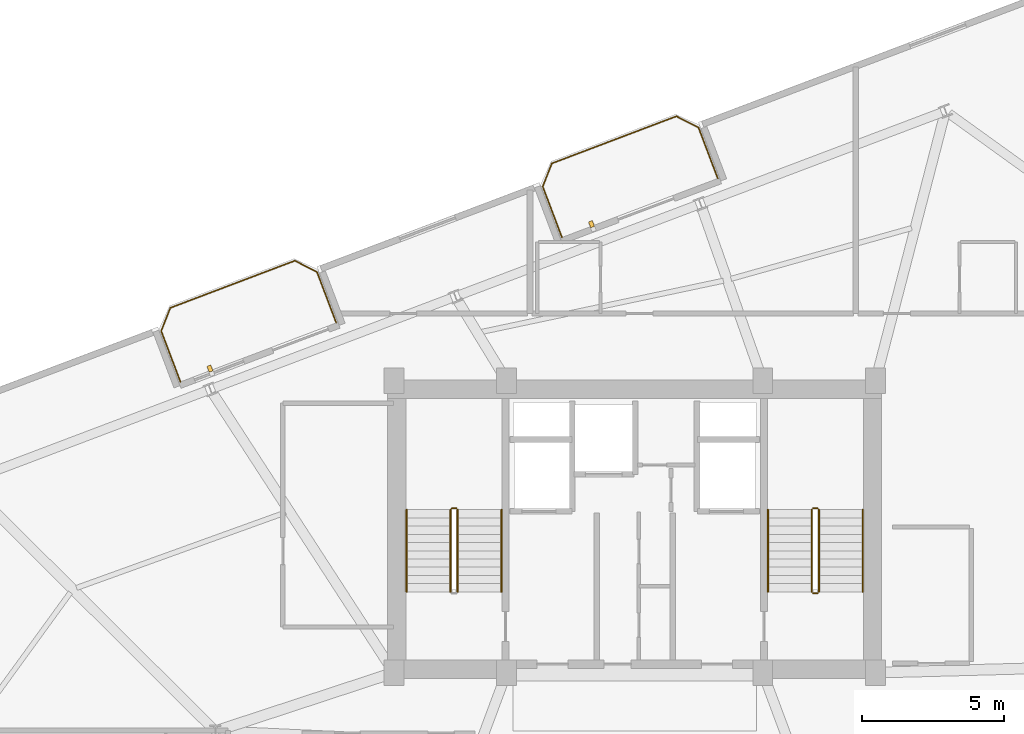
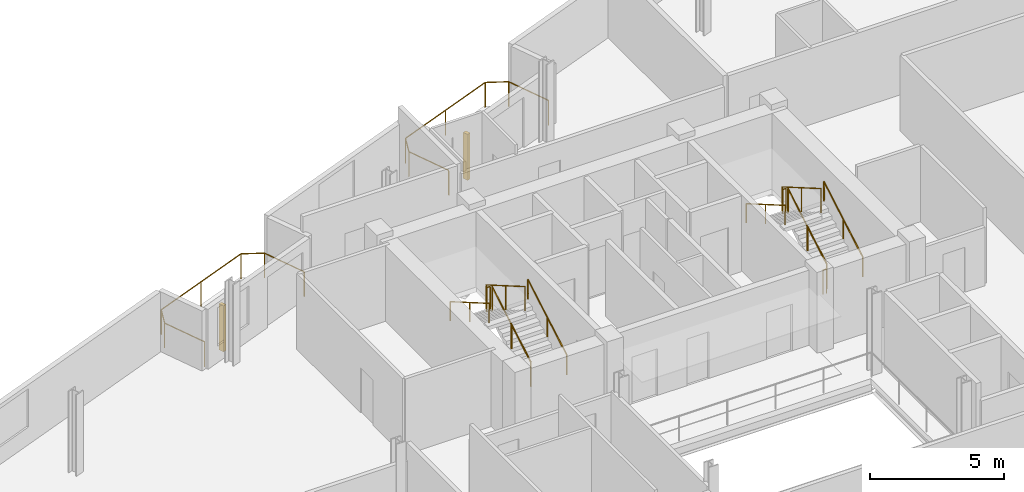
# One storey, part 24 of 24: 13 railings, 2 shading devices.
"""IFC4 building model written with IfcOpenShell, lengths in metres."""

from ifc_helpers import new_model, si_unit, direction, frame, origin, origin_2d, place, context, subcontext, project, spatial, rectangle, circle, extrude, source, transform, mapped, material, type_object, element, save


model = new_model("IFC4")

# Units and contexts
model_context = context("Model", 3, precision=1e-05, world=origin(), true_north=direction((0.0, 1.0)))
body_context = subcontext(model_context, "Body", "Model", "MODEL_VIEW")
ifc_project = project(units=[si_unit("LENGTHUNIT", "METRE"), si_unit("AREAUNIT", "SQUARE_METRE"), si_unit("VOLUMEUNIT", "CUBIC_METRE"), si_unit("PLANEANGLEUNIT", "RADIAN"), si_unit("MASSUNIT", "GRAM", prefix="KILO")], contexts=[model_context])

# Site, building, storey
site_placement = place(None, origin())
site = spatial("IfcSite", under=ifc_project, at=site_placement, CompositionType="ELEMENT")
building_placement = place(site_placement, origin())
building = spatial("IfcBuilding", under=site, at=building_placement, Name="Varnelok Gate Tower", CompositionType="ELEMENT")
storey_placement = place(building_placement, frame((0.0, 0.0, 212.699951171875)))
storey = spatial("IfcBuildingStorey", under=building, at=storey_placement, Name="L54", CompositionType="ELEMENT", Elevation=212.699951171875)

# Railings
ifc_material_1 = material(Name="Low-E Laminated Double Glazing IGU", Category="glass")
railing_type_1 = type_object("IfcRailingType", Name="RL-BALC-1150", PredefinedType="BALUSTRADE", material=ifc_material_1)
railing_1_placement = place(storey_placement, frame((23.166748046875, 39.011474609375, 0.0)))
element("IfcRailing", 1, at=railing_1_placement, inside=storey, type_object=railing_type_1, Name="L54 North Terrace Balustrade 3", PredefinedType="BALUSTRADE", context=body_context, shape_type="SweptSolid", body=[
    extrude(circle(Radius=0.02392578125, at=origin_2d()), frame((0.0, 0.0, 1.1259765625), z_axis=(-0.354159661475, 0.935184973245, 0.0), x_axis=(-0.935184973245, -0.354159661475, 0.0)), (0.0, 0.0, 1.0), 1.919921875),
    extrude(circle(Radius=0.02392578125, at=origin_2d()), frame((-0.679931640625, 1.79541015625, 1.1259765625), z_axis=(0.366495340819, 0.93041988648, 0.0), x_axis=(-0.93041988648, 0.366495340819, 0.0)), (0.0, 0.0, 1.0), 0.8779296875),
    extrude(circle(Radius=0.02392578125, at=origin_2d()), frame((-0.358154296875, 2.6123046875, 1.1259765625), z_axis=(0.935223045203, 0.354059113314, 0.0), x_axis=(-0.354059113314, 0.935223045203, 0.0)), (0.0, 0.0, 1.0), 4.699951171875),
    extrude(circle(Radius=0.02392578125, at=origin_2d()), frame((4.037353515625, 4.2763671875, 1.1259765625), z_axis=(0.89078254773, -0.454429810487, 0.0), x_axis=(0.454429810487, 0.89078254773, 0.0)), (0.0, 0.0, 1.0), 0.8779296875),
    extrude(circle(Radius=0.02392578125, at=origin_2d()), frame((4.8193359375, 3.87744140625, 1.1259765625), z_axis=(0.354006333352, -0.935243025073, 0.0), x_axis=(0.935243025073, 0.354006333352, 0.0)), (0.0, 0.0, 1.0), 1.919921875),
    extrude(circle(Radius=0.02099609375, at=origin_2d()), origin(), (0.0, 0.0, 1.0), 1.101806640625),
    extrude(circle(Radius=0.02099609375, at=origin_2d()), frame((-0.679931640625, 1.79541015625, 0.0)), (0.0, 0.0, 1.0), 1.101806640625),
    extrude(circle(Radius=0.02099609375, at=origin_2d()), frame((-0.358154296875, 2.6123046875, 0.0)), (0.0, 0.0, 1.0), 1.101806640625),
    extrude(circle(Radius=0.02099609375, at=origin_2d()), frame((1.839599609375, 3.4443359375, 0.0)), (0.0, 0.0, 1.0), 1.101806640625),
    extrude(circle(Radius=0.02099609375, at=origin_2d()), frame((4.037353515625, 4.2763671875, 0.0)), (0.0, 0.0, 1.0), 1.101806640625),
    extrude(circle(Radius=0.02099609375, at=origin_2d()), frame((4.8193359375, 3.87744140625, 0.0)), (0.0, 0.0, 1.0), 1.101806640625),
    extrude(circle(Radius=0.02099609375, at=origin_2d()), frame((5.4990234375, 2.081787109375, 0.0)), (0.0, 0.0, 1.0), 1.101806640625),
])
railing_2_placement = place(storey_placement, frame((36.6337890625, 44.10986328125, 0.0)))
element("IfcRailing", 2, at=railing_2_placement, inside=storey, type_object=railing_type_1, Name="L54 North Terrace Balustrade 4", PredefinedType="BALUSTRADE", context=body_context, shape_type="SweptSolid", body=[
    extrude(circle(Radius=0.02392578125, at=origin_2d()), frame((0.0, 0.0, 1.1259765625), z_axis=(-0.354006333352, 0.935243025073, 0.0), x_axis=(-0.935243025073, -0.354006333352, 0.0)), (0.0, 0.0, 1.0), 1.919921875),
    extrude(circle(Radius=0.02392578125, at=origin_2d()), frame((-0.6796875, 1.795654296875, 1.1259765625), z_axis=(0.366254584666, 0.930514685113, 0.0), x_axis=(-0.930514685113, 0.366254584666, 0.0)), (0.0, 0.0, 1.0), 0.8779296875),
    extrude(circle(Radius=0.02392578125, at=origin_2d()), frame((-0.358154296875, 2.612548828125, 1.1259765625), z_axis=(0.935229556479, 0.354041913744, 0.0), x_axis=(-0.354041913744, 0.935229556479, 0.0)), (0.0, 0.0, 1.0), 4.7001953125),
    extrude(circle(Radius=0.02392578125, at=origin_2d()), frame((4.03759765625, 4.276611328125, 1.1259765625), z_axis=(0.890612455555, -0.454763074589, 0.0), x_axis=(0.454763074589, 0.890612455555, 0.0)), (0.0, 0.0, 1.0), 0.877685546875),
    extrude(circle(Radius=0.02392578125, at=origin_2d()), frame((4.8193359375, 3.87744140625, 1.1259765625), z_axis=(0.354159661475, -0.935184973245, 0.0), x_axis=(0.935184973245, 0.354159661475, 0.0)), (0.0, 0.0, 1.0), 1.919921875),
    extrude(circle(Radius=0.02099609375, at=origin_2d()), origin(), (0.0, 0.0, 1.0), 1.101806640625),
    extrude(circle(Radius=0.02099609375, at=origin_2d()), frame((-0.6796875, 1.795654296875, 0.0)), (0.0, 0.0, 1.0), 1.101806640625),
    extrude(circle(Radius=0.02099609375, at=origin_2d()), frame((-0.358154296875, 2.612548828125, 0.0)), (0.0, 0.0, 1.0), 1.101806640625),
    extrude(circle(Radius=0.02099609375, at=origin_2d()), frame((1.83984375, 3.444580078125, 0.0)), (0.0, 0.0, 1.0), 1.101806640625),
    extrude(circle(Radius=0.02099609375, at=origin_2d()), frame((4.03759765625, 4.276611328125, 0.0)), (0.0, 0.0, 1.0), 1.101806640625),
    extrude(circle(Radius=0.02099609375, at=origin_2d()), frame((4.8193359375, 3.87744140625, 0.0)), (0.0, 0.0, 1.0), 1.101806640625),
    extrude(circle(Radius=0.02099609375, at=origin_2d()), frame((5.499267578125, 2.08203125, 0.0)), (0.0, 0.0, 1.0), 1.101806640625),
])
ifc_material_2 = material(Name="Brushed Stainless Steel AISI 316", Category="steel")
railing_type_2 = type_object("IfcRailingType", Name="RL-HANDRAIL-900", PredefinedType="HANDRAIL", material=ifc_material_2)
railing_3_placement = place(storey_placement, frame((34.5, 31.60009765625, 0.168212890625)))
element("IfcRailing", 3, at=railing_3_placement, inside=storey, type_object=railing_type_2, Name="L54 ST-1 stair handrail 1", PredefinedType="HANDRAIL", context=body_context, shape_type="SweptSolid", body=[
    extrude(circle(Radius=0.02392578125, at=origin_2d()), frame((0.0, 0.0, 0.8759765625), z_axis=(0.0, 0.865038774852, 0.501705010941), x_axis=(-1.0, 0.0, 0.0)), (0.0, 0.0, 1.0), 3.352294921875),
    extrude(circle(Radius=0.02099609375, at=origin_2d()), origin(), (0.0, 0.0, 1.0), 0.851806640625),
    extrude(circle(Radius=0.02099609375, at=origin_2d()), frame((0.0, 1.449951171875, 0.8408203125)), (0.0, 0.0, 1.0), 0.851806640625),
    extrude(circle(Radius=0.02099609375, at=origin_2d()), frame((0.0, 2.89990234375, 1.681884765625)), (0.0, 0.0, 1.0), 0.851806640625),
])
railing_4_placement = place(storey_placement, frame((31.14990234375, 34.5, 2.018310546875)))
element("IfcRailing", 4, at=railing_4_placement, inside=storey, type_object=railing_type_2, Name="L54 ST-1 stair handrail 2", PredefinedType="HANDRAIL", context=body_context, shape_type="SweptSolid", body=[
    extrude(circle(Radius=0.02392578125, at=origin_2d()), frame((0.0, 0.0, 0.8759765625), z_axis=(0.0, -0.86507038078, 0.501650512107), x_axis=(1.0, 0.0, 0.0)), (0.0, 0.0, 1.0), 3.352294921875),
    extrude(circle(Radius=0.02099609375, at=origin_2d()), origin(), (0.0, 0.0, 1.0), 0.851806640625),
    extrude(circle(Radius=0.02099609375, at=origin_2d()), frame((0.0, -1.449951171875, 0.8408203125)), (0.0, 0.0, 1.0), 0.851806640625),
    extrude(circle(Radius=0.02099609375, at=origin_2d()), frame((0.0, -2.89990234375, 1.681640625)), (0.0, 0.0, 1.0), 0.851806640625),
])
railing_5_placement = place(storey_placement, frame((47.25, 31.60009765625, 0.168212890625)))
element("IfcRailing", 5, at=railing_5_placement, inside=storey, type_object=railing_type_2, Name="L54 ST-2 stair handrail 1", PredefinedType="HANDRAIL", context=body_context, shape_type="SweptSolid", body=[
    extrude(circle(Radius=0.02392578125, at=origin_2d()), frame((0.0, 0.0, 0.8759765625), z_axis=(0.0, 0.865038774852, 0.501705010941), x_axis=(-1.0, 0.0, 0.0)), (0.0, 0.0, 1.0), 3.352294921875),
    extrude(circle(Radius=0.02099609375, at=origin_2d()), origin(), (0.0, 0.0, 1.0), 0.851806640625),
    extrude(circle(Radius=0.02099609375, at=origin_2d()), frame((0.0, 1.449951171875, 0.8408203125)), (0.0, 0.0, 1.0), 0.851806640625),
    extrude(circle(Radius=0.02099609375, at=origin_2d()), frame((0.0, 2.89990234375, 1.681884765625)), (0.0, 0.0, 1.0), 0.851806640625),
])
railing_6_placement = place(storey_placement, frame((43.89990234375, 34.5, 2.018310546875)))
element("IfcRailing", 6, at=railing_6_placement, inside=storey, type_object=railing_type_2, Name="L54 ST-2 stair handrail 2", PredefinedType="HANDRAIL", context=body_context, shape_type="SweptSolid", body=[
    extrude(circle(Radius=0.02392578125, at=origin_2d()), frame((0.0, 0.0, 0.8759765625), z_axis=(0.0, -0.86507038078, 0.501650512107), x_axis=(1.0, 0.0, 0.0)), (0.0, 0.0, 1.0), 3.352294921875),
    extrude(circle(Radius=0.02099609375, at=origin_2d()), origin(), (0.0, 0.0, 1.0), 0.851806640625),
    extrude(circle(Radius=0.02099609375, at=origin_2d()), frame((0.0, -1.449951171875, 0.8408203125)), (0.0, 0.0, 1.0), 0.851806640625),
    extrude(circle(Radius=0.02099609375, at=origin_2d()), frame((0.0, -2.89990234375, 1.681640625)), (0.0, 0.0, 1.0), 0.851806640625),
])
ifc_material_3 = material(Name="Galvanized Steel Grade S350GD", Category="steel")
railing_type_3 = type_object("IfcRailingType", Name="RL-STAIR-GUARD1120", PredefinedType="GUARDRAIL", material=ifc_material_3)
railing_7_placement = place(storey_placement, frame((32.949951171875, 31.60009765625, 0.168212890625)))
element("IfcRailing", 7, at=railing_7_placement, inside=storey, type_object=railing_type_3, Name="L54 ST-1 stair guard 1", PredefinedType="GUARDRAIL", context=body_context, shape_type="SweptSolid", body=[
    extrude(circle(Radius=0.02392578125, at=origin_2d()), frame((0.0, 0.0, 1.09619140625), z_axis=(0.0, 0.865038774852, 0.501705010941), x_axis=(-1.0, 0.0, 0.0)), (0.0, 0.0, 1.0), 3.352294921875),
    extrude(circle(Radius=0.02099609375, at=origin_2d()), origin(), (0.0, 0.0, 1.0), 1.072021484375),
    extrude(circle(Radius=0.02099609375, at=origin_2d()), frame((0.0, 1.449951171875, 0.8408203125)), (0.0, 0.0, 1.0), 1.072021484375),
    extrude(circle(Radius=0.02099609375, at=origin_2d()), frame((0.0, 2.89990234375, 1.681884765625)), (0.0, 0.0, 1.0), 1.072021484375),
])
railing_8_placement = place(storey_placement, frame((32.89990234375, 34.550048828125, 1.85009765625)))
element("IfcRailing", 8, at=railing_8_placement, inside=storey, type_object=railing_type_3, Name="L54 ST-1 stair guard 2", PredefinedType="GUARDRAIL", context=body_context, shape_type="SweptSolid", body=[
    extrude(circle(Radius=0.02392578125, at=origin_2d()), frame((0.0, 0.0, 1.09619140625), z_axis=(-1.0, 0.0, 0.0), x_axis=(0.0, -1.0, 0.0)), (0.0, 0.0, 1.0), 0.14990234375),
    extrude(circle(Radius=0.02099609375, at=origin_2d()), origin(), (0.0, 0.0, 1.0), 1.072021484375),
    extrude(circle(Radius=0.02099609375, at=origin_2d()), frame((-0.14990234375, 0.0, 0.0)), (0.0, 0.0, 1.0), 1.072021484375),
])
railing_9_placement = place(storey_placement, frame((32.699951171875, 34.5, 2.018310546875)))
element("IfcRailing", 9, at=railing_9_placement, inside=storey, type_object=railing_type_3, Name="L54 ST-1 stair guard 3", PredefinedType="GUARDRAIL", context=body_context, shape_type="SweptSolid", body=[
    extrude(circle(Radius=0.02392578125, at=origin_2d()), frame((0.0, 0.0, 1.09619140625), z_axis=(0.0, -0.86507038078, 0.501650512107), x_axis=(1.0, 0.0, 0.0)), (0.0, 0.0, 1.0), 3.352294921875),
    extrude(circle(Radius=0.02099609375, at=origin_2d()), origin(), (0.0, 0.0, 1.0), 1.072021484375),
    extrude(circle(Radius=0.02099609375, at=origin_2d()), frame((0.0, -1.449951171875, 0.8408203125)), (0.0, 0.0, 1.0), 1.072021484375),
    extrude(circle(Radius=0.02099609375, at=origin_2d()), frame((0.0, -2.89990234375, 1.681640625)), (0.0, 0.0, 1.0), 1.072021484375),
])
railing_10_placement = place(storey_placement, frame((45.699951171875, 31.60009765625, 0.168212890625)))
element("IfcRailing", 10, at=railing_10_placement, inside=storey, type_object=railing_type_3, Name="L54 ST-2 stair guard 1", PredefinedType="GUARDRAIL", context=body_context, shape_type="SweptSolid", body=[
    extrude(circle(Radius=0.02392578125, at=origin_2d()), frame((0.0, 0.0, 1.09619140625), z_axis=(0.0, 0.865038774852, 0.501705010941), x_axis=(-1.0, 0.0, 0.0)), (0.0, 0.0, 1.0), 3.352294921875),
    extrude(circle(Radius=0.02099609375, at=origin_2d()), origin(), (0.0, 0.0, 1.0), 1.072021484375),
    extrude(circle(Radius=0.02099609375, at=origin_2d()), frame((0.0, 1.449951171875, 0.8408203125)), (0.0, 0.0, 1.0), 1.072021484375),
    extrude(circle(Radius=0.02099609375, at=origin_2d()), frame((0.0, 2.89990234375, 1.681884765625)), (0.0, 0.0, 1.0), 1.072021484375),
])
railing_11_placement = place(storey_placement, frame((45.64990234375, 34.550048828125, 1.85009765625)))
element("IfcRailing", 11, at=railing_11_placement, inside=storey, type_object=railing_type_3, Name="L54 ST-2 stair guard 2", PredefinedType="GUARDRAIL", context=body_context, shape_type="SweptSolid", body=[
    extrude(circle(Radius=0.02392578125, at=origin_2d()), frame((0.0, 0.0, 1.09619140625), z_axis=(-1.0, 0.0, 0.0), x_axis=(0.0, -1.0, 0.0)), (0.0, 0.0, 1.0), 0.14990234375),
    extrude(circle(Radius=0.02099609375, at=origin_2d()), origin(), (0.0, 0.0, 1.0), 1.072021484375),
    extrude(circle(Radius=0.02099609375, at=origin_2d()), frame((-0.14990234375, 0.0, 0.0)), (0.0, 0.0, 1.0), 1.072021484375),
])
railing_12_placement = place(storey_placement, frame((45.449951171875, 34.5, 2.018310546875)))
element("IfcRailing", 12, at=railing_12_placement, inside=storey, type_object=railing_type_3, Name="L54 ST-2 stair guard 3", PredefinedType="GUARDRAIL", context=body_context, shape_type="SweptSolid", body=[
    extrude(circle(Radius=0.02392578125, at=origin_2d()), frame((0.0, 0.0, 1.09619140625), z_axis=(0.0, -0.86507038078, 0.501650512107), x_axis=(1.0, 0.0, 0.0)), (0.0, 0.0, 1.0), 3.352294921875),
    extrude(circle(Radius=0.02099609375, at=origin_2d()), origin(), (0.0, 0.0, 1.0), 1.072021484375),
    extrude(circle(Radius=0.02099609375, at=origin_2d()), frame((0.0, -1.449951171875, 0.8408203125)), (0.0, 0.0, 1.0), 1.072021484375),
    extrude(circle(Radius=0.02099609375, at=origin_2d()), frame((0.0, -2.89990234375, 1.681640625)), (0.0, 0.0, 1.0), 1.072021484375),
])
railing_13_placement = place(storey_placement, frame((45.64990234375, 31.550048828125, 0.0)))
element("IfcRailing", 13, at=railing_13_placement, inside=storey, type_object=railing_type_3, Name="L54 ST-2 stair guard 4", PredefinedType="GUARDRAIL", context=body_context, shape_type="SweptSolid", body=[
    extrude(circle(Radius=0.02392578125, at=origin_2d()), frame((0.0, 0.0, 1.09619140625), z_axis=(-1.0, 0.0, 0.0), x_axis=(0.0, -1.0, 0.0)), (0.0, 0.0, 1.0), 0.14990234375),
    extrude(circle(Radius=0.02099609375, at=origin_2d()), origin(), (0.0, 0.0, 1.0), 1.072021484375),
    extrude(circle(Radius=0.02099609375, at=origin_2d()), frame((-0.14990234375, 0.0, 0.0)), (0.0, 0.0, 1.0), 1.072021484375),
])

# Shading devices
ifc_material_4 = material(Name="Glazed Architectural Terracotta Ceramic", Category="masonry")
shading_device_type = type_object("IfcShadingDeviceType", Name="SHD-TERRA-BAGUETTE", PredefinedType="USERDEFINED", material=ifc_material_4)
shared_shape = source(origin(), body_context, "Body", "SweptSolid", [
    extrude(rectangle(XDim=0.139892578125, YDim=0.219970703125, at=origin_2d()), origin(), (0.0, 0.0, 1.0), 2.10009765625),
])
for number, where, z_axis, x_axis, name in (
    (14, (24.2080078125, 39.48046875, 0.10009765625), (0.0, 0.0, 1.0), (0.935221751401, 0.354062530786, 0.0), "L54 Terracotta Ceramic Baguette Sunscreen 3.1"),
    (15, (37.67529296875, 44.5791015625, 0.10009765625), (0.0, 0.0, 1.0), (0.935221751401, 0.354062530786, 0.0), "L54 Terracotta Ceramic Baguette Sunscreen 4.1"),
):
    element("IfcShadingDevice", number, at=place(storey_placement, frame(where, z_axis=z_axis, x_axis=x_axis)), inside=storey, type_object=shading_device_type, Name=name, ObjectType="BAGUETTE", PredefinedType="USERDEFINED", context=body_context, shape_type="MappedRepresentation", body=[
        mapped(shared_shape, transform((0.0, 0.0, 0.0), scale=1.0)),
    ])

save(model, "model.ifc")
